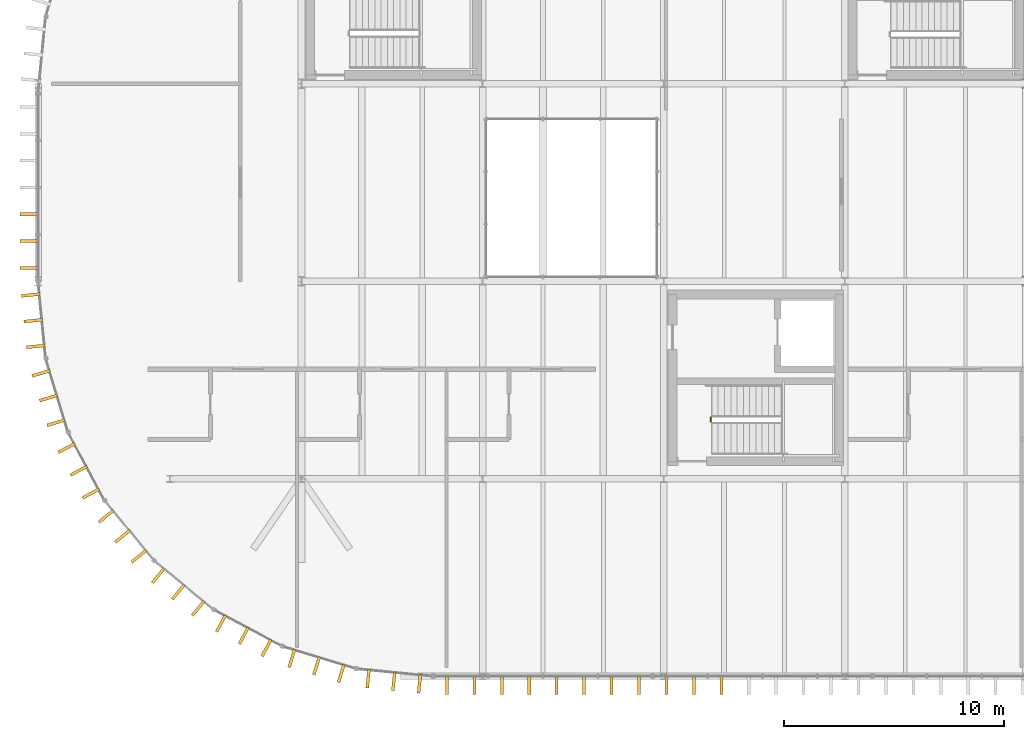
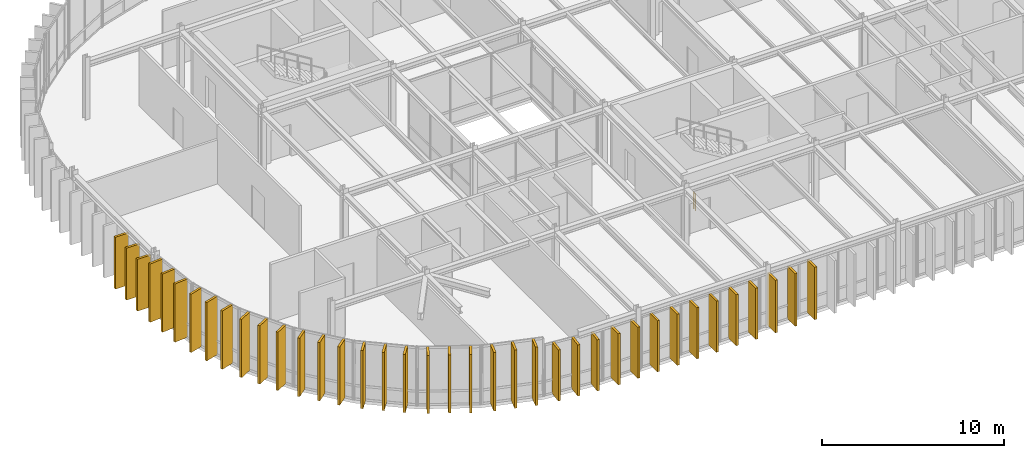
# One storey, part 23 of 27: 38 coverings, 1 railing.
"""IFC4 building model written with IfcOpenShell, lengths in metres."""

import ifcopenshell
import ifcopenshell.guid

model = None  # the IFC model being written
_history = None  # IfcOwnerHistory: only IFC2X3 demands one
_inside = {}  # id of a spatial element -> (the spatial element, [elements in it])
_under = {}  # id of a project, library or spatial element -> (it, [spatial elements below it])
_declared = {}  # id of a project -> (the project, [libraries it declares])
_typed = {}  # id of a type object -> (the type object, [elements of that type])
_made_of = {}  # id of a material, layer set ... -> (it, [elements and type objects made of it])


def new_model(schema):
    """Start an empty IFC model of exactly this schema.

    Asked for "IFC4X3", IfcOpenShell would pick the latest addendum, in which some entities
    have other attributes; the version numbers below select the first issue.
    IFC2X3 requires an IfcOwnerHistory on every rooted entity: one is made here for all.
    """
    global model, _history
    if schema == "IFC4X3":
        model = ifcopenshell.file(schema_version=(4, 3, 0, 0))
    else:
        model = ifcopenshell.file(schema=schema)
    _inside.clear()
    _under.clear()
    _declared.clear()
    _typed.clear()
    _made_of.clear()
    _history = None
    if model.schema == "IFC2X3":
        org = make("IfcOrganization", Name="unknown")
        user = make(
            "IfcPersonAndOrganization",
            ThePerson=make("IfcPerson", FamilyName="unknown"),
            TheOrganization=org,
        )
        app = make(
            "IfcApplication",
            ApplicationDeveloper=org,
            Version="unknown",
            ApplicationFullName="unknown",
            ApplicationIdentifier="unknown",
        )
        _history = make(
            "IfcOwnerHistory",
            OwningUser=user,
            OwningApplication=app,
            ChangeAction="ADDED",
            CreationDate=0,
        )
    return model


def make(cls, **values):
    """One entity of the class cls with the attributes given. An attribute that is None is left unset."""
    return model.create_entity(
        cls, **{name: value for name, value in values.items() if value is not None}
    )


def rooted(cls, **values):
    """An entity with a GlobalId (a new one), such as an element, a storey or a relation."""
    return make(cls, GlobalId=ifcopenshell.guid.new(), OwnerHistory=_history, **values)


def si_unit(unit_type, name, prefix=None):
    """IfcSIUnit, for example si_unit("LENGTHUNIT", "METRE", prefix="MILLI")."""
    return make("IfcSIUnit", UnitType=unit_type, Prefix=prefix, Name=name)


def assignment(units):
    """IfcUnitAssignment: the units of a project."""
    return None if units is None else make("IfcUnitAssignment", Units=units)


def point(xyz):
    """IfcCartesianPoint."""
    return None if xyz is None else make("IfcCartesianPoint", Coordinates=xyz)


def direction(xyz):
    """IfcDirection."""
    return None if xyz is None else make("IfcDirection", DirectionRatios=xyz)


def frame(location, z_axis=None, x_axis=None):
    """IfcAxis2Placement3D, a coordinate frame: its origin and axes. An axis left out is left unset."""
    return make(
        "IfcAxis2Placement3D",
        Location=point(location),
        Axis=direction(z_axis),
        RefDirection=direction(x_axis),
    )


def frame_2d(location, x_axis=None):
    """IfcAxis2Placement2D, a coordinate frame in the plane: its origin and x axis."""
    return make(
        "IfcAxis2Placement2D", Location=point(location), RefDirection=direction(x_axis)
    )


def origin():
    """The frame at (0, 0, 0) with its axes left unset."""
    return frame((0.0, 0.0, 0.0))


def origin_2d():
    """The frame at (0, 0) in the plane with its x axis left unset."""
    return frame_2d((0.0, 0.0))


def place(relative_to, where):
    """IfcLocalPlacement: puts the frame where relative to a parent placement (None: the world)."""
    return make(
        "IfcLocalPlacement", PlacementRelTo=relative_to, RelativePlacement=where
    )


def context(
    kind, dimensions, precision=None, world=None, true_north=None, identifier=None
):
    """IfcGeometricRepresentationContext, for example the 3D "Model" context."""
    return make(
        "IfcGeometricRepresentationContext",
        ContextIdentifier=identifier,
        ContextType=kind,
        CoordinateSpaceDimension=dimensions,
        Precision=precision,
        WorldCoordinateSystem=world,
        TrueNorth=true_north,
    )


def subcontext(parent, identifier, kind, view, scale=None):
    """IfcGeometricRepresentationSubContext, for example "Body" below "Model"."""
    return make(
        "IfcGeometricRepresentationSubContext",
        ContextIdentifier=identifier,
        ContextType=kind,
        ParentContext=parent,
        TargetScale=scale,
        TargetView=view,
    )


def project(units=None, contexts=None):
    """IfcProject with its units and contexts."""
    return rooted(
        "IfcProject",
        Name="project",
        RepresentationContexts=contexts,
        UnitsInContext=assignment(units),
    )


def spatial(cls, under=None, at=None, **own):
    """A site, building, storey or space (cls), placed at a placement, below another one or the project."""
    s = rooted(cls, ObjectPlacement=at, **own)
    if under is not None:
        _under.setdefault(under.id(), (under, []))[1].append(s)
    return s


def profile(cls, at=None, kind="AREA", **sizes):
    """A parametric profile (cls). Its sizes go by their IFC names, for example OverallWidth=200.0."""
    return make(cls, ProfileType=kind, Position=at, **sizes)


def rectangle(**sizes):
    """IfcRectangleProfileDef."""
    return profile("IfcRectangleProfileDef", **sizes)


def circle(**sizes):
    """IfcCircleProfileDef."""
    return profile("IfcCircleProfileDef", **sizes)


def extrude(swept, where, along, depth):
    """IfcExtrudedAreaSolid: the profile swept, set in the frame where, extruded along a direction by depth."""
    return make(
        "IfcExtrudedAreaSolid",
        SweptArea=swept,
        Position=where,
        ExtrudedDirection=direction(along),
        Depth=depth,
    )


def shape(context_of_items, identifier, shape_type, items):
    """IfcShapeRepresentation: the items that make up one representation, for example the "Body"."""
    return make(
        "IfcShapeRepresentation",
        ContextOfItems=context_of_items,
        RepresentationIdentifier=identifier,
        RepresentationType=shape_type,
        Items=items,
    )


def material(Name=None, Category=None):
    """IfcMaterial."""
    return make("IfcMaterial", Name=Name, Category=Category)


def layer(
    of_material, thickness, ventilated=None, Name=None, Category=None, Priority=None
):
    """IfcMaterialLayer: one layer of a wall or slab, of a material (None: an air gap)."""
    return make(
        "IfcMaterialLayer",
        Material=of_material,
        LayerThickness=thickness,
        IsVentilated=ventilated,
        Name=Name,
        Category=Category,
        Priority=Priority,
    )


def layer_set(layers, Name=None):
    """IfcMaterialLayerSet."""
    return make("IfcMaterialLayerSet", MaterialLayers=layers, LayerSetName=Name)


def made_of(thing, what):
    """Note that an element or type object is made of a material, layer set ...; save() writes the relation."""
    if what is not None:
        _made_of.setdefault(what.id(), (what, []))[1].append(thing)
    return thing


def type_object(cls, material=None, **own):
    """A type object (cls), such as IfcWallType, which elements share."""
    return made_of(rooted(cls, **own), material)


def element(
    cls,
    number,
    at=None,
    inside=None,
    cuts=None,
    type_object=None,
    material=None,
    context=None,
    identifier="Body",
    shape_type=None,
    held_by="IfcProductDefinitionShape",
    body=None,
    shapes=None,
    **own,
):
    """One element of the class cls, such as IfcWall. Its Tag is "e" and its number.

    at: its placement. inside: the storey or other place that contains it. cuts: it is an
    opening in that element (IfcRelVoidsElement). A single representation is given by context,
    identifier, shape_type and body (its items); several are given by shapes. held_by: the class
    of the entity that holds the representations. save() writes the other relations.
    """
    e = rooted(cls, Tag="e%d" % number, ObjectPlacement=at, **own)
    if body is not None:
        shapes = [shape(context, identifier, shape_type, body)]
    if shapes is not None:
        e.Representation = make(held_by, Representations=shapes)
    if inside is not None:
        _inside.setdefault(inside.id(), (inside, []))[1].append(e)
    if cuts is not None:
        rooted(
            "IfcRelVoidsElement", RelatingBuildingElement=cuts, RelatedOpeningElement=e
        )
    if type_object is not None:
        _typed.setdefault(type_object.id(), (type_object, []))[1].append(e)
    return made_of(e, material)


def aggregate(whole, parts):
    """IfcRelAggregates: a whole, such as a stair, and the parts it consists of."""
    return rooted("IfcRelAggregates", RelatingObject=whole, RelatedObjects=parts)


def save(model, path):
    """Write the relations noted so far, then the file.

    IfcRelAggregates (storeys below a building ...), IfcRelContainedInSpatialStructure (elements
    in a storey), IfcRelDefinesByType, IfcRelAssociatesMaterial and IfcRelDeclares: one each for
    every whole, place, type object, material and project.
    """
    for whole, parts in _under.values():
        aggregate(whole, parts)
    for where, things in _inside.values():
        rooted(
            "IfcRelContainedInSpatialStructure",
            RelatedElements=things,
            RelatingStructure=where,
        )
    for kind, things in _typed.values():
        rooted("IfcRelDefinesByType", RelatedObjects=things, RelatingType=kind)
    for what, things in _made_of.values():
        rooted("IfcRelAssociatesMaterial", RelatedObjects=things, RelatingMaterial=what)
    for by, libraries in _declared.values():
        rooted("IfcRelDeclares", RelatingContext=by, RelatedDefinitions=libraries)
    model.write(path)


model = new_model("IFC4")

# Units and contexts
model_context = context("Model", 3, precision=1e-05, world=origin(), true_north=direction((0.0, 1.0)))
body_context = subcontext(model_context, "Body", "Model", "MODEL_VIEW")
ifc_project = project(units=[si_unit("LENGTHUNIT", "METRE"), si_unit("AREAUNIT", "SQUARE_METRE"), si_unit("VOLUMEUNIT", "CUBIC_METRE"), si_unit("PLANEANGLEUNIT", "RADIAN"), si_unit("MASSUNIT", "GRAM", prefix="KILO")], contexts=[model_context])

# Site, building, storey
site_placement = place(None, origin())
site = spatial("IfcSite", under=ifc_project, at=site_placement, CompositionType="ELEMENT")
building_placement = place(site_placement, origin())
building = spatial("IfcBuilding", under=site, at=building_placement, Name="Montealbar Specialist Clinic", CompositionType="ELEMENT")
storey_placement = place(building_placement, frame((0.0, 0.0, 18.0)))
storey = spatial("IfcBuildingStorey", under=building, at=storey_placement, Name="L04", CompositionType="ELEMENT", Elevation=18.0)

# Coverings
ifc_material_1 = material(Name="Thermally modified timber cladding", Category="wood")
ifc_layer_1 = layer(ifc_material_1, 0.139892578125, Name="Thermally modified timber cladding", Category="wood")
ifc_layer_set_1 = layer_set([ifc_layer_1], Name="Thermally modified timber cladding")
covering_type = type_object("IfcCoveringType", Name="COV-FIN-TIMBER-850", PredefinedType="CLADDING", material=ifc_layer_set_1)
for number, where, z_axis, x_axis, name in (
    (1, (53.60009765625, 18.611083984375, 0.0), (0.0, 0.0, 1.0), (-1.0, 0.0, 0.0), "Vertical Timber Solar Fin CF-L04-0275"),
    (2, (53.60009765625, 19.83203125, 0.0), (0.0, 0.0, 1.0), (-1.0, 0.0, 0.0), "Vertical Timber Solar Fin CF-L04-0276"),
    (3, (53.60009765625, 21.053955078125, 0.0), (0.0, 0.0, 1.0), (-1.0, 0.0, 0.0), "Vertical Timber Solar Fin CF-L04-0277"),
):
    element("IfcCovering", number, at=place(storey_placement, frame(where, z_axis=z_axis, x_axis=x_axis)), inside=storey, type_object=covering_type, Name=name, PredefinedType="CLADDING", context=body_context, shape_type="SweptSolid", body=[
        extrude(rectangle(XDim=0.85009765625, YDim=0.139892578125, at=origin_2d()), origin(), (0.0, 0.0, 1.0), 3.489990234375),
    ])
for number, where, z_axis, x_axis, name in (
    (4, (85.125, -0.39990234375, 0.0), (0.0, 0.0, 1.0), (0.0, -1.0, 0.0), "Vertical Timber Solar Fin CF-L04-0345"),
    (5, (83.875, -0.39990234375, 0.0), (0.0, 0.0, 1.0), (0.0, -1.0, 0.0), "Vertical Timber Solar Fin CF-L04-0346"),
    (6, (82.625, -0.39990234375, 0.0), (0.0, 0.0, 1.0), (0.0, -1.0, 0.0), "Vertical Timber Solar Fin CF-L04-0347"),
):
    element("IfcCovering", number, at=place(storey_placement, frame(where, z_axis=z_axis, x_axis=x_axis)), inside=storey, type_object=covering_type, Name=name, PredefinedType="CLADDING", context=body_context, shape_type="SweptSolid", body=[
        extrude(rectangle(XDim=0.85009765625, YDim=0.139892578125, at=origin_2d()), origin(), (0.0, 0.0, 1.0), 3.530029296875),
    ])
for number, where, z_axis, x_axis, name in (
    (7, (81.375, -0.39990234375, 0.0), (0.0, 0.0, 1.0), (0.0, -1.0, 0.0), "Vertical Timber Solar Fin CF-L04-0348"),
    (8, (80.125, -0.39990234375, 0.0), (0.0, 0.0, 1.0), (0.0, -1.0, 0.0), "Vertical Timber Solar Fin CF-L04-0349"),
    (9, (78.875, -0.39990234375, 0.0), (0.0, 0.0, 1.0), (0.0, -1.0, 0.0), "Vertical Timber Solar Fin CF-L04-0350"),
    (10, (77.625, -0.39990234375, 0.0), (0.0, 0.0, 1.0), (0.0, -1.0, 0.0), "Vertical Timber Solar Fin CF-L04-0351"),
    (11, (76.375, -0.39990234375, 0.0), (0.0, 0.0, 1.0), (0.0, -1.0, 0.0), "Vertical Timber Solar Fin CF-L04-0352"),
    (12, (75.125, -0.39990234375, 0.0), (0.0, 0.0, 1.0), (0.0, -1.0, 0.0), "Vertical Timber Solar Fin CF-L04-0353"),
    (13, (73.875, -0.39990234375, 0.0), (0.0, 0.0, 1.0), (0.0, -1.0, 0.0), "Vertical Timber Solar Fin CF-L04-0354"),
    (14, (72.625, -0.39990234375, 0.0), (0.0, 0.0, 1.0), (0.0, -1.0, 0.0), "Vertical Timber Solar Fin CF-L04-0355"),
    (15, (71.375, -0.340087890625, 0.0), (0.0, 0.0, 1.0), (-0.098044697094, -0.995182012183, 0.0), "Vertical Timber Solar Fin CF-L04-0356"),
    (16, (70.205078125, -0.22509765625, 0.0), (0.0, 0.0, 1.0), (-0.098044697094, -0.995182012183, 0.0), "Vertical Timber Solar Fin CF-L04-0357"),
    (17, (69.033935546875, -0.110107421875, 0.0), (0.0, 0.0, 1.0), (-0.098044697094, -0.995182012183, 0.0), "Vertical Timber Solar Fin CF-L04-0358"),
):
    element("IfcCovering", number, at=place(storey_placement, frame(where, z_axis=z_axis, x_axis=x_axis)), inside=storey, type_object=covering_type, Name=name, PredefinedType="CLADDING", context=body_context, shape_type="SweptSolid", body=[
        extrude(rectangle(XDim=0.85009765625, YDim=0.139892578125, at=origin_2d()), origin(), (0.0, 0.0, 1.0), 3.43798828125),
    ])
for number, where, z_axis, x_axis, name in (
    (18, (67.80908203125, 0.134033203125, 0.0), (0.0, 0.0, 1.0), (-0.290259134399, -0.956948083701, 0.0), "Vertical Timber Solar Fin CF-L04-0359"),
    (19, (66.68408203125, 0.47509765625, 0.0), (0.0, 0.0, 1.0), (-0.290259134399, -0.956948083701, 0.0), "Vertical Timber Solar Fin CF-L04-0360"),
    (20, (65.55908203125, 0.81689453125, 0.0), (0.0, 0.0, 1.0), (-0.290259134399, -0.956948083701, 0.0), "Vertical Timber Solar Fin CF-L04-0361"),
    (21, (64.405029296875, 1.294921875, 0.0), (0.0, 0.0, 1.0), (-0.471529268958, -0.881850411644, 0.0), "Vertical Timber Solar Fin CF-L04-0362"),
    (22, (63.366943359375, 1.84912109375, 0.0), (0.0, 0.0, 1.0), (-0.471529268958, -0.881850411644, 0.0), "Vertical Timber Solar Fin CF-L04-0363"),
    (23, (62.330078125, 2.404052734375, 0.0), (0.0, 0.0, 1.0), (-0.471529268958, -0.881850411644, 0.0), "Vertical Timber Solar Fin CF-L04-0364"),
    (24, (61.2919921875, 3.097900390625, 0.0), (0.0, 0.0, 1.0), (-0.634255808922, -0.773123255923, 0.0), "Vertical Timber Solar Fin CF-L04-0365"),
    (25, (60.382080078125, 3.843994140625, 0.0), (0.0, 0.0, 1.0), (-0.634255808922, -0.773123255923, 0.0), "Vertical Timber Solar Fin CF-L04-0366"),
    (26, (59.472900390625, 4.590087890625, 0.0), (0.0, 0.0, 1.0), (-0.634255808922, -0.773123255923, 0.0), "Vertical Timber Solar Fin CF-L04-0367"),
    (27, (58.590087890625, 5.472900390625, 0.0), (0.0, 0.0, 1.0), (-0.773123255923, -0.634255808922, 0.0), "Vertical Timber Solar Fin CF-L04-0368"),
    (28, (57.843994140625, 6.382080078125, 0.0), (0.0, 0.0, 1.0), (-0.773123255923, -0.634255808922, 0.0), "Vertical Timber Solar Fin CF-L04-0369"),
    (29, (57.097900390625, 7.2919921875, 0.0), (0.0, 0.0, 1.0), (-0.773123255923, -0.634255808922, 0.0), "Vertical Timber Solar Fin CF-L04-0370"),
    (30, (56.404052734375, 8.330078125, 0.0), (0.0, 0.0, 1.0), (-0.881850411644, -0.471529268958, 0.0), "Vertical Timber Solar Fin CF-L04-0371"),
    (31, (55.84912109375, 9.366943359375, 0.0), (0.0, 0.0, 1.0), (-0.881850411644, -0.471529268958, 0.0), "Vertical Timber Solar Fin CF-L04-0372"),
    (32, (55.294921875, 10.405029296875, 0.0), (0.0, 0.0, 1.0), (-0.881850411644, -0.471529268958, 0.0), "Vertical Timber Solar Fin CF-L04-0373"),
    (33, (54.81689453125, 11.55908203125, 0.0), (0.0, 0.0, 1.0), (-0.956948083701, -0.290259134399, 0.0), "Vertical Timber Solar Fin CF-L04-0374"),
    (34, (54.47509765625, 12.68408203125, 0.0), (0.0, 0.0, 1.0), (-0.956948083701, -0.290259134399, 0.0), "Vertical Timber Solar Fin CF-L04-0375"),
    (35, (54.134033203125, 13.80908203125, 0.0), (0.0, 0.0, 1.0), (-0.956948083701, -0.290259134399, 0.0), "Vertical Timber Solar Fin CF-L04-0376"),
    (36, (53.889892578125, 15.033935546875, 0.0), (0.0, 0.0, 1.0), (-0.995182012183, -0.098044697094, 0.0), "Vertical Timber Solar Fin CF-L04-0377"),
    (37, (53.77490234375, 16.205078125, 0.0), (0.0, 0.0, 1.0), (-0.995182012183, -0.098044697094, 0.0), "Vertical Timber Solar Fin CF-L04-0378"),
    (38, (53.659912109375, 17.375, 0.0), (0.0, 0.0, 1.0), (-0.995182012183, -0.098044697094, 0.0), "Vertical Timber Solar Fin CF-L04-0379"),
):
    element("IfcCovering", number, at=place(storey_placement, frame(where, z_axis=z_axis, x_axis=x_axis)), inside=storey, type_object=covering_type, Name=name, PredefinedType="CLADDING", context=body_context, shape_type="SweptSolid", body=[
        extrude(rectangle(XDim=0.85009765625, YDim=0.139892578125, at=origin_2d()), origin(), (0.0, 0.0, 1.0), 3.919921875),
    ])

# Railing
ifc_material_2 = material(Name="Steel S355", Category="steel")
ifc_layer_2 = layer(ifc_material_2, 0.050048828125, Name="Steel S355", Category="steel")
ifc_layer_set_2 = layer_set([ifc_layer_2], Name="Steel S355")
railing_type = type_object("IfcRailingType", Name="RAIL-STAIR-BAL-1100", PredefinedType="BALUSTRADE", material=ifc_layer_set_2)
railing_placement = place(storey_placement, frame((84.64990234375, 11.60009765625, 0.0)))
element("IfcRailing", 39, at=railing_placement, inside=storey, type_object=railing_type, Name="L04 ST-04 stair guard 4", PredefinedType="BALUSTRADE", context=body_context, shape_type="SweptSolid", body=[
    extrude(circle(Radius=0.02392578125, at=origin_2d()), frame((0.0, 0.0, 1.076171875), z_axis=(0.0, 1.0, 0.0), x_axis=(-1.0, 0.0, 0.0)), (0.0, 0.0, 1.0), 0.199951171875),
    extrude(circle(Radius=0.02099609375, at=origin_2d()), frame((0.0, 0.0, -0.02490234375)), (0.0, 0.0, 1.0), 1.076904296875),
    extrude(circle(Radius=0.02099609375, at=origin_2d()), frame((0.0, 0.199951171875, -0.02490234375)), (0.0, 0.0, 1.0), 1.076904296875),
])

save(model, "model.ifc")
